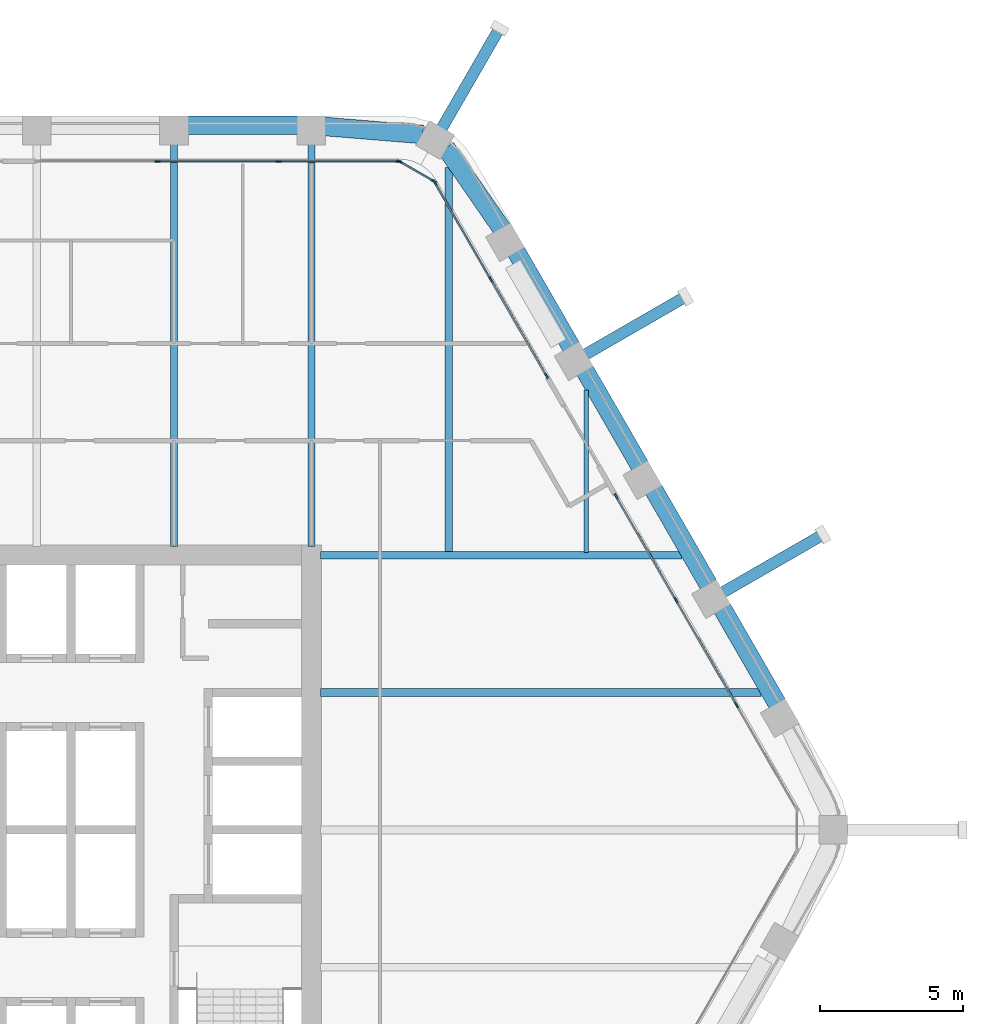
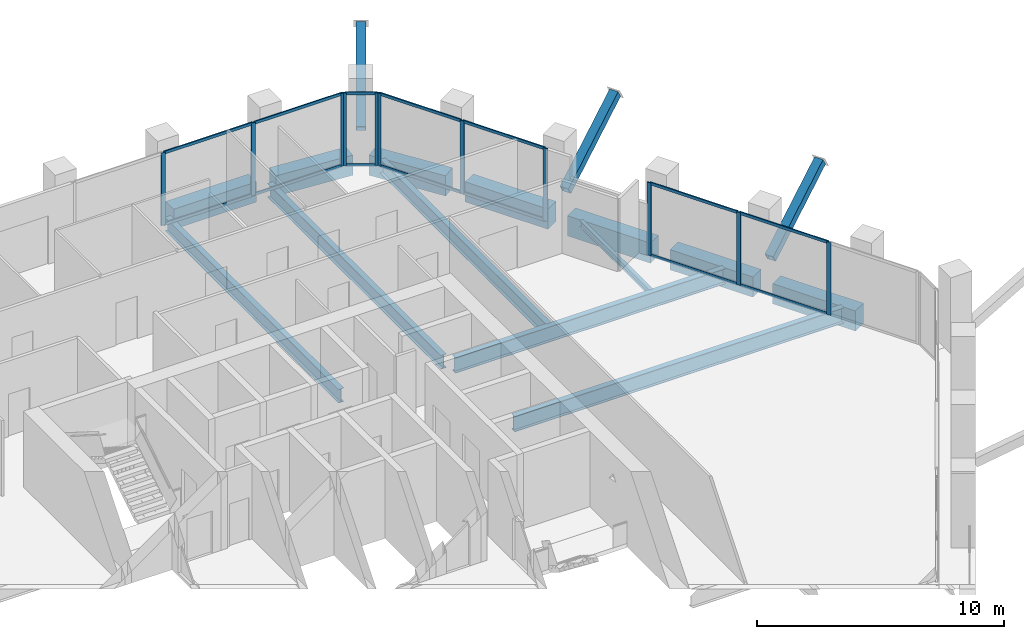
# One storey, part 7 of 16: 28 members, 13 beams, 4 elements without a shape of their own.
"""IFC4 building model written with IfcOpenShell, lengths in metres."""

from ifc_helpers import new_model, si_unit, direction, frame, origin, origin_2d, place, context, subcontext, project, spatial, rectangle, hollow_rectangle, i_section, extrude, material, material_profile, profile_set, type_object, element, aggregate, save


model = new_model("IFC4")

# Units and contexts
model_context = context("Model", 3, precision=1e-05, world=origin(), true_north=direction((0.0, 1.0)))
body_context = subcontext(model_context, "Body", "Model", "MODEL_VIEW")
ifc_project = project(units=[si_unit("LENGTHUNIT", "METRE"), si_unit("AREAUNIT", "SQUARE_METRE"), si_unit("VOLUMEUNIT", "CUBIC_METRE"), si_unit("PLANEANGLEUNIT", "RADIAN"), si_unit("MASSUNIT", "GRAM", prefix="KILO")], contexts=[model_context])

# Site, building, storey
site_placement = place(None, origin())
site = spatial("IfcSite", under=ifc_project, at=site_placement, CompositionType="ELEMENT")
building_placement = place(site_placement, origin())
building = spatial("IfcBuilding", under=site, at=building_placement, Name="Kolab Exchange Tower", CompositionType="ELEMENT")
storey_placement = place(building_placement, frame((0.0, 0.0, 177.800048828125)))
storey = spatial("IfcBuildingStorey", under=building, at=storey_placement, Name="L37", CompositionType="ELEMENT", Elevation=177.800048828125)

# Beams
ifc_material_1 = material(Name="Steel S355", Category="steel")
ifc_material_profile_1 = material_profile(ifc_material_1, i_section(OverallWidth=0.1650390625, OverallDepth=0.31005859375, WebThickness=0.005859375, FlangeThickness=0.009765625, at=origin_2d()), Name="W310X39")
ifc_profile_set_1 = profile_set([ifc_material_profile_1], Name="Steel S355")
beam_type_1 = type_object("IfcBeamType", Name="FLOOR BEAM W310X39", PredefinedType="BEAM", material=ifc_profile_set_1)
beam_1_placement = place(storey_placement, frame((19.199951171875, 9.693603515625, -0.304931640625), z_axis=(0.0, 1.0, 0.0), x_axis=(-1.0, 0.0, 0.0)))
element("IfcBeam", 1, at=beam_1_placement, inside=storey, type_object=beam_type_1, Name="beam/L37/fr/023", PredefinedType="BEAM", context=body_context, shape_type="SweptSolid", body=[
    extrude(i_section(OverallWidth=0.1650390625, OverallDepth=0.31005859375, WebThickness=0.005859375, FlangeThickness=0.009765625, at=origin_2d()), origin(), (0.0, 0.0, 1.0), 5.674072265625),
])
ifc_material_profile_2 = material_profile(ifc_material_1, i_section(OverallWidth=0.25390625, OverallDepth=0.68408203125, WebThickness=0.012451171875, FlangeThickness=0.018798828125, at=origin_2d()), Name="W690X140")
ifc_profile_set_2 = profile_set([ifc_material_profile_2], Name="Steel S355")
beam_type_2 = type_object("IfcBeamType", Name="FLOOR BEAM W690X140", PredefinedType="BEAM", material=ifc_profile_set_2)
for number, where, z_axis, x_axis, name in (
    (2, (4.800048828125, 9.909912109375, -0.491943359375), (0.0, 1.0, 0.0), (-1.0, 0.0, 0.0), "beam/L37/fr/014"),
    (3, (9.60009765625, 9.909912109375, -0.491943359375), (0.0, 1.0, 0.0), (-1.0, 0.0, 0.0), "beam/L37/fr/016"),
):
    element("IfcBeam", number, at=place(storey_placement, frame(where, z_axis=z_axis, x_axis=x_axis)), inside=storey, type_object=beam_type_2, Name=name, PredefinedType="BEAM", context=body_context, shape_type="SweptSolid", body=[
        extrude(i_section(OverallWidth=0.25390625, OverallDepth=0.68408203125, WebThickness=0.012451171875, FlangeThickness=0.018798828125, at=origin_2d()), origin(), (0.0, 0.0, 1.0), 14.071533203125),
    ])
beam_2_placement = place(storey_placement, frame((14.39990234375, 9.693603515625, -0.491943359375), z_axis=(0.0, 1.0, 0.0), x_axis=(-1.0, 0.0, 0.0)))
element("IfcBeam", 4, at=beam_2_placement, inside=storey, type_object=beam_type_2, Name="beam/L37/fr/021", PredefinedType="BEAM", context=body_context, shape_type="SweptSolid", body=[
    extrude(i_section(OverallWidth=0.25390625, OverallDepth=0.68408203125, WebThickness=0.012451171875, FlangeThickness=0.018798828125, at=origin_2d()), origin(), (0.0, 0.0, 1.0), 13.462158203125),
])
ifc_material_profile_3 = material_profile(ifc_material_1, i_section(OverallWidth=0.26708984375, OverallDepth=0.761962890625, WebThickness=0.014404296875, FlangeThickness=0.021484375, at=origin_2d()), Name="W760X173")
ifc_profile_set_3 = profile_set([ifc_material_profile_3], Name="Steel S355")
beam_type_3 = type_object("IfcBeamType", Name="FLOOR BEAM W760X173", PredefinedType="BEAM", material=ifc_profile_set_3)
beam_3_placement = place(storey_placement, frame((9.909912109375, 4.800048828125, -0.531005859375), z_axis=(1.0, 0.0, 0.0), x_axis=(0.0, 1.0, 0.0)))
element("IfcBeam", 5, at=beam_3_placement, inside=storey, type_object=beam_type_3, Name="beam/L37/fr/019", PredefinedType="BEAM", context=body_context, shape_type="SweptSolid", body=[
    extrude(i_section(OverallWidth=0.26708984375, OverallDepth=0.761962890625, WebThickness=0.014404296875, FlangeThickness=0.021484375, at=origin_2d()), origin(), (0.0, 0.0, 1.0), 15.408203125),
])
ifc_material_profile_4 = material_profile(ifc_material_1, i_section(OverallWidth=0.26708984375, OverallDepth=0.761962890625, WebThickness=0.014404296875, FlangeThickness=0.021484375, at=origin_2d()), Name="W760X173")
ifc_profile_set_4 = profile_set([ifc_material_profile_4], Name="Steel S355")
beam_type_4 = type_object("IfcBeamType", Name="FLOOR GIRDER W760X173", PredefinedType="BEAM", material=ifc_profile_set_4)
beam_4_placement = place(storey_placement, frame((9.909912109375, 9.60009765625, -0.531005859375), z_axis=(1.0, 0.0, 0.0), x_axis=(0.0, 1.0, 0.0)))
element("IfcBeam", 6, at=beam_4_placement, inside=storey, type_object=beam_type_4, Name="beam/L37/gd/003", PredefinedType="BEAM", context=body_context, shape_type="SweptSolid", body=[
    extrude(i_section(OverallWidth=0.26708984375, OverallDepth=0.761962890625, WebThickness=0.014404296875, FlangeThickness=0.021484375, at=origin_2d()), origin(), (0.0, 0.0, 1.0), 12.636962890625),
])

# Members
ifc_material_profile_5 = material_profile(ifc_material_1, hollow_rectangle(XDim=0.39990234375, YDim=0.39990234375, WallThickness=0.02001953125, at=origin_2d()), Name="HSS400X400X20")
ifc_profile_set_5 = profile_set([ifc_material_profile_5], Name="Steel S355")
member_type_1 = type_object("IfcMemberType", Name="LEDGE STRUT HSS400X400X20", PredefinedType="STRUT", material=ifc_profile_set_5)
for number, where, z_axis, x_axis, name in (
    (7, (14.14794921875, 24.5048828125, 0.599853515625), (0.431355064226, 0.74712949304, 0.505697863547), (-0.866025579307, 0.499999695987, 0.0), "mem/L37/ledge/strut-0"),
    (8, (19.165283203125, 16.607666015625, 0.599853515625), (0.74712949304, 0.431355064226, 0.505697863547), (-0.499999695987, 0.866025579307, 0.0), "mem/L37/ledge/strut-1"),
    (9, (23.96533203125, 8.293701171875, 0.599853515625), (0.74712949304, 0.431355064226, 0.505697863547), (-0.499999695987, 0.866025579307, 0.0), "mem/L37/ledge/strut-2"),
):
    element("IfcMember", number, at=place(storey_placement, frame(where, z_axis=z_axis, x_axis=x_axis)), inside=storey, type_object=member_type_1, Name=name, PredefinedType="STRUT", context=body_context, shape_type="SweptSolid", body=[
        extrude(hollow_rectangle(XDim=0.39990234375, YDim=0.39990234375, WallThickness=0.02001953125, at=origin_2d()), origin(), (0.0, 0.0, 1.0), 4.682861328125),
    ])

# Beams
ifc_material_2 = material(Name="Concrete C60/75", Category="concrete")
ifc_material_profile_6 = material_profile(ifc_material_2, rectangle(XDim=0.64990234375, YDim=1.0, at=origin_2d()), Name="RC650X1000")
ifc_profile_set_6 = profile_set([ifc_material_profile_6], Name="Concrete C60/75")
beam_type_5 = type_object("IfcBeamType", Name="SPANDREL BEAM 650X1000 C60/75", PredefinedType="BEAM", material=ifc_profile_set_6)
beam_5_placement = place(storey_placement, frame((5.260009765625, 24.616455078125, -0.650146484375), z_axis=(1.0, 0.0, 0.0), x_axis=(0.0, 1.0, 0.0)))
element("IfcBeam", 10, at=beam_5_placement, inside=storey, type_object=beam_type_5, Name="beam/L37/sp/F1-05", PredefinedType="BEAM", context=body_context, shape_type="SweptSolid", body=[
    extrude(rectangle(XDim=0.64990234375, YDim=1.0, at=origin_2d()), origin(), (0.0, 0.0, 1.0), 3.8798828125),
])
for number, where, z_axis, x_axis, name in (
    (11, (10.06005859375, 24.5791015625, -0.650146484375), (0.996708497182, -0.081068931445, 0.0), (0.081068931445, 0.996708497182, 0.0), "beam/L37/sp/F1-06"),
    (12, (14.29736328125, 23.8359375, -0.650146484375), (0.568572281073, -0.822633309073, 0.0), (0.822633309073, 0.568572281073, 0.0), "beam/L37/sp/F2-01"),
):
    element("IfcBeam", number, at=place(storey_placement, frame(where, z_axis=z_axis, x_axis=x_axis)), inside=storey, type_object=beam_type_5, Name=name, PredefinedType="BEAM", context=body_context, shape_type="SweptSolid", body=[
        extrude(rectangle(XDim=0.64990234375, YDim=1.0, at=origin_2d()), origin(), (0.0, 0.0, 1.0), 3.445068359375),
    ])
beam_6_placement = place(storey_placement, frame((16.74853515625, 20.2236328125, -0.650146484375), z_axis=(0.499996613652, -0.866027358884, 0.0), x_axis=(0.866027358884, 0.499996613652, 0.0)))
element("IfcBeam", 13, at=beam_6_placement, inside=storey, type_object=beam_type_5, Name="beam/L37/sp/F2-02", PredefinedType="BEAM", context=body_context, shape_type="SweptSolid", body=[
    extrude(rectangle(XDim=0.64990234375, YDim=1.0, at=origin_2d()), origin(), (0.0, 0.0, 1.0), 3.8798828125),
])
beam_7_placement = place(storey_placement, frame((19.1484375, 16.06689453125, -0.650146484375), z_axis=(0.50001655835, -0.866015843605, 0.0), x_axis=(0.866015843605, 0.50001655835, 0.0)))
element("IfcBeam", 14, at=beam_7_placement, inside=storey, type_object=beam_type_5, Name="beam/L37/sp/F2-03", PredefinedType="BEAM", context=body_context, shape_type="SweptSolid", body=[
    extrude(rectangle(XDim=0.64990234375, YDim=1.0, at=origin_2d()), origin(), (0.0, 0.0, 1.0), 3.880126953125),
])
for number, where, z_axis, x_axis, name in (
    (15, (21.548583984375, 11.909912109375, -0.650146484375), (0.499996613652, -0.866027358884, 0.0), (0.866027358884, 0.499996613652, 0.0), "beam/L37/sp/F2-04"),
    (16, (23.948486328125, 7.7529296875, -0.650146484375), (0.499996613652, -0.866027358884, 0.0), (0.866027358884, 0.499996613652, 0.0), "beam/L37/sp/F2-05"),
):
    element("IfcBeam", number, at=place(storey_placement, frame(where, z_axis=z_axis, x_axis=x_axis)), inside=storey, type_object=beam_type_5, Name=name, PredefinedType="BEAM", context=body_context, shape_type="SweptSolid", body=[
        extrude(rectangle(XDim=0.64990234375, YDim=1.0, at=origin_2d()), origin(), (0.0, 0.0, 1.0), 3.8798828125),
    ])

# Curtain wall, members
ifc_material_3 = material(Name="Aluminium EN AW-6063 T6", Category="aluminium")
curtain_wall_type = type_object("IfcCurtainWallType", Name="UNITISED UPPER MID ZONE CURTAIN WALL", PredefinedType="NOTDEFINED", material=ifc_material_3)
curtain_wall_1_placement = place(storey_placement, origin())
curtain_wall_1 = element("IfcCurtainWall", 17, at=curtain_wall_1_placement, inside=storey, type_object=curtain_wall_type, Name="cw/L37/F1-2", PredefinedType="NOTDEFINED")
ifc_material_profile_7 = material_profile(ifc_material_3, rectangle(XDim=0.06005859375, YDim=0.199951171875, at=origin_2d()), Name="RECT 60X200")
ifc_profile_set_7 = profile_set([ifc_material_profile_7], Name="Aluminium EN AW-6063 T6")
member_type_2 = type_object("IfcMemberType", Name="UNITISED UPPER MID ZONE MULLION 60 X 200", PredefinedType="MULLION", material=ifc_profile_set_7)
member_1_placement = place(storey_placement, frame((4.22265625, 23.361572265625, 0.0), z_axis=(0.0, 0.0, 1.0), x_axis=(0.0, 1.0, 0.0)))
member_1 = element("IfcMember", 18, at=member_1_placement, type_object=member_type_2, Name="CW3 mullion 2", PredefinedType="MULLION", context=body_context, shape_type="SweptSolid", body=[
    extrude(rectangle(XDim=0.06005859375, YDim=0.199951171875, at=origin_2d()), origin(), (0.0, 0.0, 1.0), 3.599853515625),
])
member_2_placement = place(storey_placement, frame((8.4453125, 23.361572265625, 0.0), z_axis=(0.0, 0.0, 1.0), x_axis=(0.0, 1.0, 0.0)))
member_2 = element("IfcMember", 19, at=member_2_placement, type_object=member_type_2, Name="CW3 mullion 3", PredefinedType="MULLION", context=body_context, shape_type="SweptSolid", body=[
    extrude(rectangle(XDim=0.06005859375, YDim=0.199951171875, at=origin_2d()), origin(), (0.0, 0.0, 1.0), 3.599853515625),
])
member_3_placement = place(storey_placement, frame((12.637939453125, 23.361572265625, 0.0), z_axis=(0.0, 0.0, 1.0), x_axis=(0.0, 1.0, 0.0)))
member_3 = element("IfcMember", 20, at=member_3_placement, type_object=member_type_2, Name="CW3 mullion 4", PredefinedType="MULLION", context=body_context, shape_type="SweptSolid", body=[
    extrude(rectangle(XDim=0.06005859375, YDim=0.199951171875, at=origin_2d()), origin(), (0.0, 0.0, 1.0), 3.599853515625),
])

curtain_wall_2_placement = place(storey_placement, origin())
curtain_wall_2 = element("IfcCurtainWall", 21, at=curtain_wall_2_placement, inside=storey, type_object=curtain_wall_type, Name="cw/L37/F2-1", PredefinedType="NOTDEFINED")
member_4_placement = place(storey_placement, frame((13.91259765625, 22.62548828125, 0.0), z_axis=(0.0, 0.0, 1.0), x_axis=(0.866025385493, 0.500000031681, 0.0)))
member_4 = element("IfcMember", 22, at=member_4_placement, type_object=member_type_2, Name="CW3 mullion 1", PredefinedType="MULLION", context=body_context, shape_type="SweptSolid", body=[
    extrude(rectangle(XDim=0.06005859375, YDim=0.199951171875, at=origin_2d()), origin(), (0.0, 0.0, 1.0), 3.599853515625),
])
member_5_placement = place(storey_placement, frame((15.86474609375, 19.24462890625, 0.0), z_axis=(0.0, 0.0, 1.0), x_axis=(0.866025385493, 0.500000031681, 0.0)))
member_5 = element("IfcMember", 23, at=member_5_placement, type_object=member_type_2, Name="CW3 mullion 2", PredefinedType="MULLION", context=body_context, shape_type="SweptSolid", body=[
    extrude(rectangle(XDim=0.06005859375, YDim=0.199951171875, at=origin_2d()), origin(), (0.0, 0.0, 1.0), 3.599853515625),
])
member_6_placement = place(storey_placement, frame((17.816650390625, 15.86376953125, 0.0), z_axis=(0.0, 0.0, 1.0), x_axis=(0.866025385493, 0.500000031681, 0.0)))
member_6 = element("IfcMember", 24, at=member_6_placement, type_object=member_type_2, Name="CW3 mullion 3", PredefinedType="MULLION", context=body_context, shape_type="SweptSolid", body=[
    extrude(rectangle(XDim=0.06005859375, YDim=0.199951171875, at=origin_2d()), origin(), (0.0, 0.0, 1.0), 3.599853515625),
])

curtain_wall_3_placement = place(storey_placement, origin())
curtain_wall_3 = element("IfcCurtainWall", 25, at=curtain_wall_3_placement, inside=storey, type_object=curtain_wall_type, Name="cw/L37/F2-2", PredefinedType="NOTDEFINED")
member_7_placement = place(storey_placement, frame((20.24658203125, 11.65478515625, 0.0), z_axis=(0.0, 0.0, 1.0), x_axis=(0.866025427826, 0.499999958358, 0.0)))
member_7 = element("IfcMember", 26, at=member_7_placement, type_object=member_type_2, Name="CW3 mullion 1", PredefinedType="MULLION", context=body_context, shape_type="SweptSolid", body=[
    extrude(rectangle(XDim=0.06005859375, YDim=0.199951171875, at=origin_2d()), origin(), (0.0, 0.0, 1.0), 3.599853515625),
])
member_8_placement = place(storey_placement, frame((22.343017578125, 8.02392578125, 0.0), z_axis=(0.0, 0.0, 1.0), x_axis=(0.866025427826, 0.499999958358, 0.0)))
member_8 = element("IfcMember", 27, at=member_8_placement, type_object=member_type_2, Name="CW3 mullion 2", PredefinedType="MULLION", context=body_context, shape_type="SweptSolid", body=[
    extrude(rectangle(XDim=0.06005859375, YDim=0.199951171875, at=origin_2d()), origin(), (0.0, 0.0, 1.0), 3.599853515625),
])
member_9_placement = place(storey_placement, frame((24.454345703125, 4.366943359375, 0.0), z_axis=(0.0, 0.0, 1.0), x_axis=(0.866025427826, 0.499999958358, 0.0)))
member_9 = element("IfcMember", 28, at=member_9_placement, type_object=member_type_2, Name="CW3 mullion 3", PredefinedType="MULLION", context=body_context, shape_type="SweptSolid", body=[
    extrude(rectangle(XDim=0.06005859375, YDim=0.199951171875, at=origin_2d()), origin(), (0.0, 0.0, 1.0), 3.599853515625),
])

curtain_wall_4_placement = place(storey_placement, origin())
curtain_wall_4 = element("IfcCurtainWall", 29, at=curtain_wall_4_placement, inside=storey, type_object=curtain_wall_type, Name="cw/L37/F1F2-corner", PredefinedType="NOTDEFINED")
member_10_placement = place(storey_placement, frame((12.69384765625, 23.346435546875, 0.0), z_axis=(0.0, 0.0, 1.0), x_axis=(0.50000002237, 0.866025390869, 0.0)))
member_10 = element("IfcMember", 30, at=member_10_placement, type_object=member_type_2, Name="CW3 mullion 1", PredefinedType="MULLION", context=body_context, shape_type="SweptSolid", body=[
    extrude(rectangle(XDim=0.06005859375, YDim=0.199951171875, at=origin_2d()), origin(), (0.0, 0.0, 1.0), 3.599853515625),
])
member_11_placement = place(storey_placement, frame((13.871826171875, 22.66650390625, 0.0), z_axis=(0.0, 0.0, 1.0), x_axis=(0.50000002237, 0.866025390869, 0.0)))
member_11 = element("IfcMember", 31, at=member_11_placement, type_object=member_type_2, Name="CW3 mullion 2", PredefinedType="MULLION", context=body_context, shape_type="SweptSolid", body=[
    extrude(rectangle(XDim=0.06005859375, YDim=0.199951171875, at=origin_2d()), origin(), (0.0, 0.0, 1.0), 3.599853515625),
])

# Member
ifc_material_profile_8 = material_profile(ifc_material_3, rectangle(XDim=0.06005859375, YDim=0.139892578125, at=origin_2d()), Name="RECT 60X140")
ifc_profile_set_8 = profile_set([ifc_material_profile_8], Name="Aluminium EN AW-6063 T6")
member_type_3 = type_object("IfcMemberType", Name="UNITISED UPPER MID ZONE TRANSOM 60 X 140", PredefinedType="USERDEFINED", material=ifc_profile_set_8)
member_12_placement = place(storey_placement, frame((4.252685546875, 23.361572265625, 0.030029296875), z_axis=(1.0, 0.0, 0.0), x_axis=(0.0, 1.0, 0.0)))
member_12 = element("IfcMember", 32, at=member_12_placement, type_object=member_type_3, Name="CW3 transom 2.1", ObjectType="TRANSOM", PredefinedType="USERDEFINED", context=body_context, shape_type="SweptSolid", body=[
    extrude(rectangle(XDim=0.06005859375, YDim=0.139892578125, at=origin_2d()), origin(), (0.0, 0.0, 1.0), 4.16259765625),
])

member_13_placement = place(storey_placement, frame((4.252685546875, 23.361572265625, 3.570068359375), z_axis=(1.0, 0.0, 0.0), x_axis=(0.0, 1.0, 0.0)))
member_13 = element("IfcMember", 33, at=member_13_placement, type_object=member_type_3, Name="CW3 transom 2.2", ObjectType="TRANSOM", PredefinedType="USERDEFINED", context=body_context, shape_type="SweptSolid", body=[
    extrude(rectangle(XDim=0.06005859375, YDim=0.139892578125, at=origin_2d()), origin(), (0.0, 0.0, 1.0), 4.16259765625),
])

member_14_placement = place(storey_placement, frame((8.475341796875, 23.361572265625, 0.030029296875), z_axis=(1.0, 0.0, 0.0), x_axis=(0.0, 1.0, 0.0)))
member_14 = element("IfcMember", 34, at=member_14_placement, type_object=member_type_3, Name="CW3 transom 3.1", ObjectType="TRANSOM", PredefinedType="USERDEFINED", context=body_context, shape_type="SweptSolid", body=[
    extrude(rectangle(XDim=0.06005859375, YDim=0.139892578125, at=origin_2d()), origin(), (0.0, 0.0, 1.0), 4.132568359375),
])

member_15_placement = place(storey_placement, frame((8.475341796875, 23.361572265625, 3.570068359375), z_axis=(1.0, 0.0, 0.0), x_axis=(0.0, 1.0, 0.0)))
member_15 = element("IfcMember", 35, at=member_15_placement, type_object=member_type_3, Name="CW3 transom 3.2", ObjectType="TRANSOM", PredefinedType="USERDEFINED", context=body_context, shape_type="SweptSolid", body=[
    extrude(rectangle(XDim=0.06005859375, YDim=0.139892578125, at=origin_2d()), origin(), (0.0, 0.0, 1.0), 4.132568359375),
])

aggregate(curtain_wall_1, [member_1, member_2, member_3, member_12, member_13, member_14, member_15])

member_16_placement = place(storey_placement, frame((13.927734375, 22.599609375, 0.030029296875), z_axis=(0.499964356602, -0.866045981532, 0.0), x_axis=(0.866045981532, 0.499964356602, 0.0)))
member_16 = element("IfcMember", 36, at=member_16_placement, type_object=member_type_3, Name="CW3 transom 1.1", ObjectType="TRANSOM", PredefinedType="USERDEFINED", context=body_context, shape_type="SweptSolid", body=[
    extrude(rectangle(XDim=0.06005859375, YDim=0.139892578125, at=origin_2d()), origin(), (0.0, 0.0, 1.0), 3.843994140625),
])

member_17_placement = place(storey_placement, frame((13.927734375, 22.599609375, 3.570068359375), z_axis=(0.499964356602, -0.866045981532, 0.0), x_axis=(0.866045981532, 0.499964356602, 0.0)))
member_17 = element("IfcMember", 37, at=member_17_placement, type_object=member_type_3, Name="CW3 transom 1.2", ObjectType="TRANSOM", PredefinedType="USERDEFINED", context=body_context, shape_type="SweptSolid", body=[
    extrude(rectangle(XDim=0.06005859375, YDim=0.139892578125, at=origin_2d()), origin(), (0.0, 0.0, 1.0), 3.843994140625),
])

member_18_placement = place(storey_placement, frame((15.879638671875, 19.21875, 0.030029296875), z_axis=(0.500011990396, -0.866018481016, 0.0), x_axis=(0.866018481016, 0.500011990396, 0.0)))
member_18 = element("IfcMember", 38, at=member_18_placement, type_object=member_type_3, Name="CW3 transom 2.1", ObjectType="TRANSOM", PredefinedType="USERDEFINED", context=body_context, shape_type="SweptSolid", body=[
    extrude(rectangle(XDim=0.06005859375, YDim=0.139892578125, at=origin_2d()), origin(), (0.0, 0.0, 1.0), 3.84423828125),
])

member_19_placement = place(storey_placement, frame((15.879638671875, 19.21875, 3.570068359375), z_axis=(0.500011990396, -0.866018481016, 0.0), x_axis=(0.866018481016, 0.500011990396, 0.0)))
member_19 = element("IfcMember", 39, at=member_19_placement, type_object=member_type_3, Name="CW3 transom 2.2", ObjectType="TRANSOM", PredefinedType="USERDEFINED", context=body_context, shape_type="SweptSolid", body=[
    extrude(rectangle(XDim=0.06005859375, YDim=0.139892578125, at=origin_2d()), origin(), (0.0, 0.0, 1.0), 3.84423828125),
])

aggregate(curtain_wall_2, [member_4, member_5, member_6, member_16, member_17, member_18, member_19])

member_20_placement = place(storey_placement, frame((20.26171875, 11.62890625, 0.030029296875), z_axis=(0.500001996123, -0.866024251319, 0.0), x_axis=(0.866024251319, 0.500001996123, 0.0)))
member_20 = element("IfcMember", 40, at=member_20_placement, type_object=member_type_3, Name="CW3 transom 1.1", ObjectType="TRANSOM", PredefinedType="USERDEFINED", context=body_context, shape_type="SweptSolid", body=[
    extrude(rectangle(XDim=0.06005859375, YDim=0.139892578125, at=origin_2d()), origin(), (0.0, 0.0, 1.0), 4.1328125),
])

member_21_placement = place(storey_placement, frame((20.26171875, 11.62890625, 3.570068359375), z_axis=(0.500001996123, -0.866024251319, 0.0), x_axis=(0.866024251319, 0.500001996123, 0.0)))
member_21 = element("IfcMember", 41, at=member_21_placement, type_object=member_type_3, Name="CW3 transom 1.2", ObjectType="TRANSOM", PredefinedType="USERDEFINED", context=body_context, shape_type="SweptSolid", body=[
    extrude(rectangle(XDim=0.06005859375, YDim=0.139892578125, at=origin_2d()), origin(), (0.0, 0.0, 1.0), 4.1328125),
])

member_22_placement = place(storey_placement, frame((22.35791015625, 7.997802734375, 0.030029296875), z_axis=(0.49999322259, -0.866029316688, 0.0), x_axis=(0.866029316688, 0.49999322259, 0.0)))
member_22 = element("IfcMember", 42, at=member_22_placement, type_object=member_type_3, Name="CW3 transom 2.1", ObjectType="TRANSOM", PredefinedType="USERDEFINED", context=body_context, shape_type="SweptSolid", body=[
    extrude(rectangle(XDim=0.06005859375, YDim=0.139892578125, at=origin_2d()), origin(), (0.0, 0.0, 1.0), 4.16259765625),
])

member_23_placement = place(storey_placement, frame((22.35791015625, 7.997802734375, 3.570068359375), z_axis=(0.49999322259, -0.866029316688, 0.0), x_axis=(0.866029316688, 0.49999322259, 0.0)))
member_23 = element("IfcMember", 43, at=member_23_placement, type_object=member_type_3, Name="CW3 transom 2.2", ObjectType="TRANSOM", PredefinedType="USERDEFINED", context=body_context, shape_type="SweptSolid", body=[
    extrude(rectangle(XDim=0.06005859375, YDim=0.139892578125, at=origin_2d()), origin(), (0.0, 0.0, 1.0), 4.16259765625),
])

aggregate(curtain_wall_3, [member_7, member_8, member_9, member_20, member_21, member_22, member_23])

member_24_placement = place(storey_placement, frame((12.719970703125, 23.33154296875, 0.030029296875), z_axis=(0.86603858612, -0.49997716683, 0.0), x_axis=(0.49997716683, 0.86603858612, 0.0)))
member_24 = element("IfcMember", 44, at=member_24_placement, type_object=member_type_3, Name="CW3 transom 1.1", ObjectType="TRANSOM", PredefinedType="USERDEFINED", context=body_context, shape_type="SweptSolid", body=[
    extrude(rectangle(XDim=0.06005859375, YDim=0.139892578125, at=origin_2d()), origin(), (0.0, 0.0, 1.0), 1.2998046875),
])

member_25_placement = place(storey_placement, frame((12.719970703125, 23.33154296875, 3.570068359375), z_axis=(0.86603858612, -0.49997716683, 0.0), x_axis=(0.49997716683, 0.86603858612, 0.0)))
member_25 = element("IfcMember", 45, at=member_25_placement, type_object=member_type_3, Name="CW3 transom 1.2", ObjectType="TRANSOM", PredefinedType="USERDEFINED", context=body_context, shape_type="SweptSolid", body=[
    extrude(rectangle(XDim=0.06005859375, YDim=0.139892578125, at=origin_2d()), origin(), (0.0, 0.0, 1.0), 1.2998046875),
])

aggregate(curtain_wall_4, [member_10, member_11, member_24, member_25])

save(model, "model.ifc")
